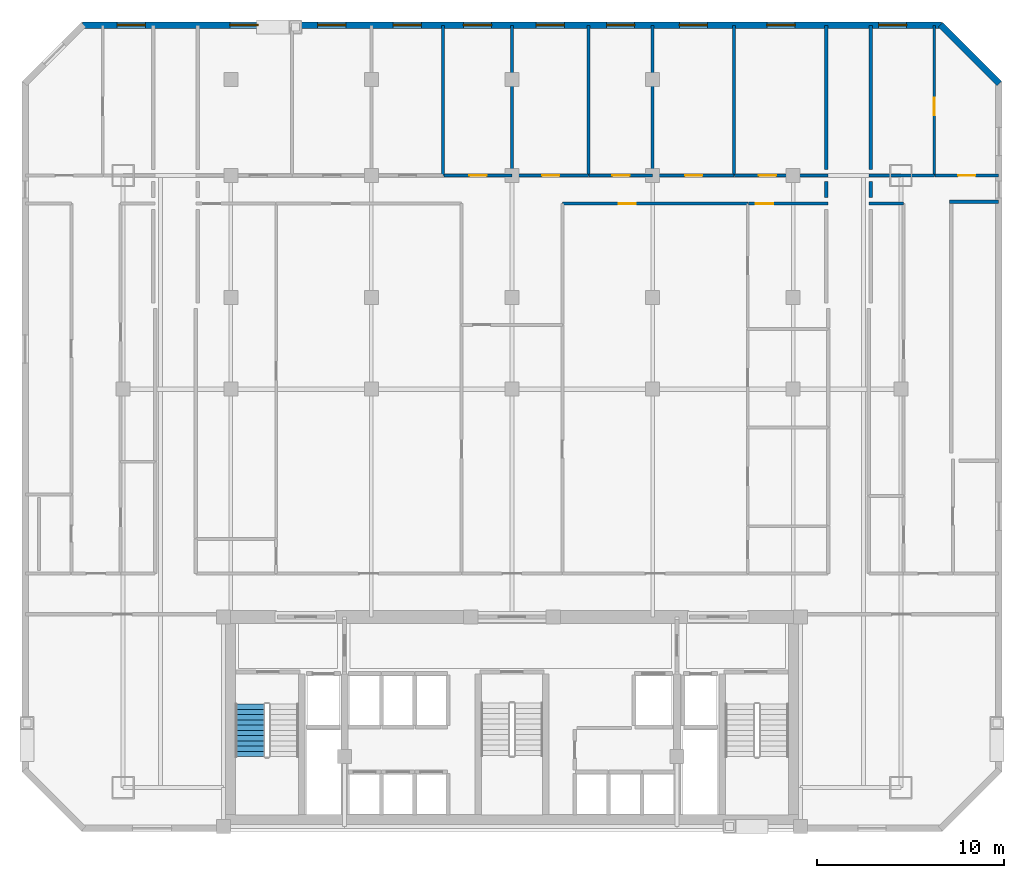
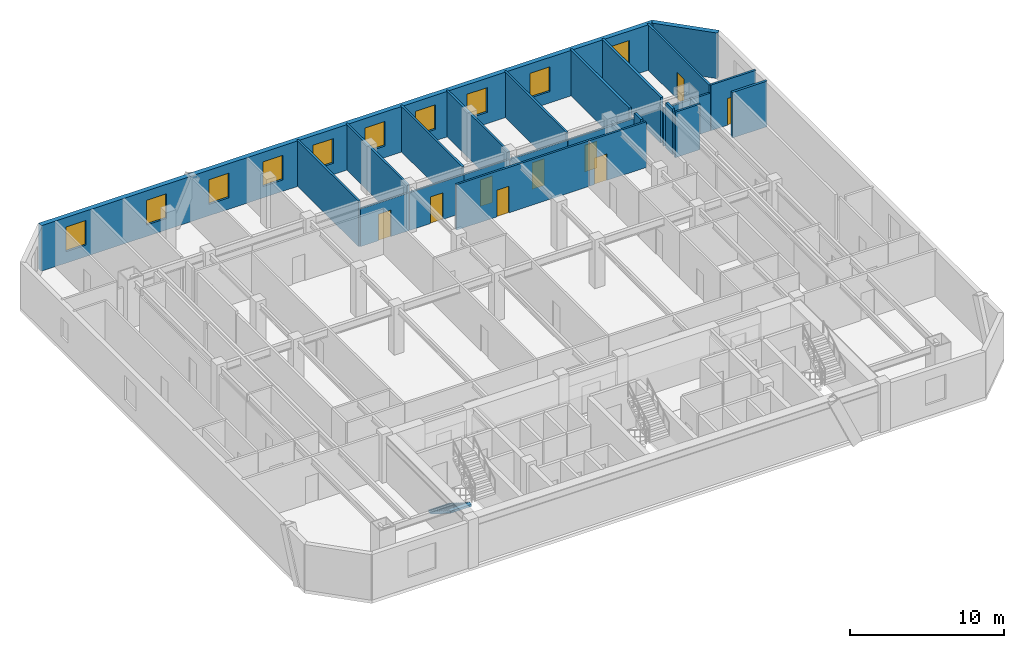
# One storey, part 6 of 8: 23 walls, 10 windows, 9 doors, 1 stair flight, 19 openings, 1 element without a shape of its own.
"""IFC4 building model written with IfcOpenShell, lengths in metres."""

from ifc_helpers import new_model, si_unit, direction, frame, frame_2d, origin, place, context, subcontext, project, spatial, polyline, rectangle, outline, extrude, material, layer, layer_set, type_object, element, fill, aggregate, save


model = new_model("IFC4")

# Units and contexts
model_context = context("Model", 3, precision=1e-05, world=origin(), true_north=direction((0.0, 1.0)))
body_context = subcontext(model_context, "Body", "Model", "MODEL_VIEW")
ifc_project = project(units=[si_unit("LENGTHUNIT", "METRE"), si_unit("AREAUNIT", "SQUARE_METRE"), si_unit("VOLUMEUNIT", "CUBIC_METRE"), si_unit("PLANEANGLEUNIT", "RADIAN"), si_unit("MASSUNIT", "GRAM", prefix="KILO")], contexts=[model_context])

# Site, building, storey
site_placement = place(None, origin())
site = spatial("IfcSite", under=ifc_project, at=site_placement, CompositionType="ELEMENT")
building_placement = place(site_placement, origin())
building = spatial("IfcBuilding", under=site, at=building_placement, Name="Ventersveld Concourse Tower", CompositionType="ELEMENT")
storey_placement = place(building_placement, frame((0.0, 0.0, 127.25)))
storey = spatial("IfcBuildingStorey", under=building, at=storey_placement, Name="L31", CompositionType="ELEMENT", Elevation=127.25)

# Walls
ifc_material_1 = material(Name="Fire-rated autoclaved aerated masonry blockwork", Category="masonry")
ifc_layer_1 = layer(ifc_material_1, 0.179931640625)
ifc_layer_set_1 = layer_set([ifc_layer_1], Name="Fire-rated autoclaved aerated masonry blockwork")
wall_type_1 = type_object("IfcWallType", Name="WL-CORR-180", PredefinedType="PARTITIONING", material=ifc_layer_set_1)
wall_1_placement = place(storey_placement, frame((47.8798828125, 33.824951171875, 0.0), z_axis=(0.0, 0.0, 1.0), x_axis=(0.0, 1.0, 0.0)))
element("IfcWall", 1, at=wall_1_placement, inside=storey, type_object=wall_type_1, Name="L31 Room Enclosure Wall SP-L31-31NE-LIV", PredefinedType="PARTITIONING", context=body_context, shape_type="SweptSolid", body=[
    extrude(rectangle(XDim=0.85009765625, YDim=0.179931640625, at=frame_2d((0.425048828125, 0.0))), origin(), (0.0, 0.0, 1.0), 3.60009765625),
])
wall_2_placement = place(storey_placement, frame((54.68994140625, 33.590087890625, 0.0), z_axis=(0.0, 0.0, 1.0), x_axis=(-1.0, 0.0, 0.0)))
element("IfcWall", 2, at=wall_2_placement, inside=storey, type_object=wall_type_1, Name="L31 Room Enclosure Wall SP-L31-31NE-LIV", PredefinedType="PARTITIONING", context=body_context, shape_type="SweptSolid", body=[
    extrude(rectangle(XDim=2.6064453125, YDim=0.179931640625, at=frame_2d((1.30322265625, 0.0))), origin(), (0.0, 0.0, 1.0), 3.60009765625),
])
wall_3_placement = place(storey_placement, frame((47.8798828125, 35.324951171875, 0.0), z_axis=(0.0, 0.0, 1.0), x_axis=(0.0, 1.0, 0.0)))
element("IfcWall", 3, at=wall_3_placement, inside=storey, type_object=wall_type_1, Name="L31 Room Enclosure Wall SP-L31-31NE-BR1", PredefinedType="PARTITIONING", context=body_context, shape_type="SweptSolid", body=[
    extrude(rectangle(XDim=7.6650390625, YDim=0.179931640625, at=frame_2d((3.83251953125, 0.0))), origin(), (0.0, 0.0, 1.0), 3.60009765625),
])
wall_4_placement = place(storey_placement, frame((45.52001953125, 34.675048828125, 0.0), z_axis=(0.0, 0.0, 1.0), x_axis=(0.0, -1.0, 0.0)))
element("IfcWall", 4, at=wall_4_placement, inside=storey, type_object=wall_type_1, Name="L31 Room Enclosure Wall SP-L31-31N1-LIV", PredefinedType="PARTITIONING", context=body_context, shape_type="SweptSolid", body=[
    extrude(rectangle(XDim=0.85009765625, YDim=0.179931640625, at=frame_2d((0.425048828125, 0.0))), origin(), (0.0, 0.0, 1.0), 3.60009765625),
])
wall_5_placement = place(storey_placement, frame((45.52001953125, 42.989990234375, 0.0), z_axis=(0.0, 0.0, 1.0), x_axis=(0.0, -1.0, 0.0)))
element("IfcWall", 5, at=wall_5_placement, inside=storey, type_object=wall_type_1, Name="L31 Room Enclosure Wall SP-L31-31N1-BR8", PredefinedType="PARTITIONING", context=body_context, shape_type="SweptSolid", body=[
    extrude(rectangle(XDim=7.6650390625, YDim=0.179931640625, at=frame_2d((3.83251953125, 0.0))), origin(), (0.0, 0.0, 1.0), 3.60009765625),
])
ifc_material_2 = material(Name="Autoclaved aerated masonry blockwork", Category="masonry")
ifc_layer_2 = layer(ifc_material_2, 0.14990234375)
ifc_layer_set_2 = layer_set([ifc_layer_2], Name="Autoclaved aerated masonry blockwork")
wall_type_2 = type_object("IfcWallType", Name="WL-INT-150", PredefinedType="PARTITIONING", material=ifc_layer_set_2)
wall_6_placement = place(storey_placement, frame((47.784912109375, 33.5, 0.0), z_axis=(0.0, 0.0, 1.0), x_axis=(1.0, 0.0, 0.0)))
element("IfcWall", 6, at=wall_6_placement, inside=storey, type_object=wall_type_2, Name="L31 Interior Partition SP-L31-31NE-LIV-SP-L31-31NE-OFFL0", PredefinedType="PARTITIONING", context=body_context, shape_type="SweptSolid", body=[
    extrude(rectangle(XDim=1.862548828125, YDim=0.14990234375, at=frame_2d((0.93115234375, 0.0))), origin(), (0.0, 0.0, 1.0), 3.60009765625),
])
wall_7_placement = place(storey_placement, frame((47.784912109375, 35.0, 0.0), z_axis=(0.0, 0.0, 1.0), x_axis=(1.0, 0.0, 0.0)))
element("IfcWall", 7, at=wall_7_placement, inside=storey, type_object=wall_type_2, Name="L31 Interior Partition SP-L31-31NE-LIV-SP-L31-31NE-BR1", PredefinedType="PARTITIONING", context=body_context, shape_type="SweptSolid", body=[
    extrude(rectangle(XDim=3.498291015625, YDim=0.14990234375, at=frame_2d((1.7490234375, 0.0))), origin(), (0.0, 0.0, 1.0), 2.98291015625),
])

# Wall, opening, door
wall_8_placement = place(storey_placement, frame((51.313232421875, 35.0, 0.0), z_axis=(0.0, 0.0, 1.0), x_axis=(1.0, 0.0, 0.0)))
wall_8 = element("IfcWall", 8, at=wall_8_placement, inside=storey, type_object=wall_type_2, Name="L31 Interior Partition SP-L31-31NE-LIV-SP-L31-31NE-BR2", PredefinedType="PARTITIONING", context=body_context, shape_type="SweptSolid", body=[
    extrude(rectangle(XDim=3.376708984375, YDim=0.14990234375, at=frame_2d((1.6884765625, 0.0))), origin(), (0.0, 0.0, 1.0), 3.60009765625),
])
opening_1_placement = place(wall_8_placement, frame((1.228515625, 0.0, 0.0)))
opening_1 = element("IfcOpeningElement", 9, at=opening_1_placement, cuts=wall_8, Name="Opening ID1", PredefinedType="OPENING", context=body_context, shape_type="SweptSolid", body=[
    extrude(rectangle(XDim=0.919921875, YDim=2.10009765625, at=frame_2d((0.4599609375, 1.050048828125))), frame((0.0, 0.0849609375, 0.0), z_axis=(0.0, -1.0, 0.0), x_axis=(1.0, 0.0, 0.0)), (0.0, 0.0, 1.0), 0.169921875),
])
ifc_material_3 = material(Name="Solid-core hardwood veneer timber", Category="wood")
door_type = type_object("IfcDoorType", Name="DR-ROOM-092", OperationType="NOTDEFINED", PredefinedType="DOOR", material=ifc_material_3)
door_1_placement = place(opening_1_placement, origin())
door_1 = element("IfcDoor", 10, at=door_1_placement, inside=storey, type_object=door_type, Name="L31 Interior Door SP-L31-31NE-LIV to SP-L31-31NE-BR2 (D-L31-1560)", OperationType="SINGLE_SWING_RIGHT", OverallHeight=2.10009765625, OverallWidth=0.919921875, PredefinedType="DOOR", context=body_context, shape_type="SweptSolid", body=[
    extrude(rectangle(XDim=0.919921875, YDim=2.10009765625, at=frame_2d((0.4599609375, 1.050048828125))), frame((0.0, 0.02490234375, 0.0), z_axis=(0.0, -1.0, 0.0), x_axis=(1.0, 0.0, 0.0)), (0.0, 0.0, 1.0), 0.050048828125),
])
fill(opening_1, door_1)

wall_9_placement = place(storey_placement, frame((51.2783203125, 34.9951171875, 0.0), z_axis=(0.0, 0.0, 1.0), x_axis=(0.0, 1.0, 0.0)))
wall_9 = element("IfcWall", 11, at=wall_9_placement, inside=storey, type_object=wall_type_2, Name="L31 Interior Partition SP-L31-31NE-BR1-SP-L31-31NE-BR2", PredefinedType="PARTITIONING", context=body_context, shape_type="SweptSolid", body=[
    extrude(rectangle(XDim=7.994873046875, YDim=0.14990234375, at=frame_2d((3.99755859375, 0.0))), origin(), (0.0, 0.0, 1.0), 3.60009765625),
])
opening_2_placement = place(wall_9_placement, frame((3.22998046875, 0.0, 0.0)))
opening_2 = element("IfcOpeningElement", 12, at=opening_2_placement, cuts=wall_9, Name="Opening ID1", PredefinedType="OPENING", context=body_context, shape_type="SweptSolid", body=[
    extrude(rectangle(XDim=0.919921875, YDim=2.10009765625, at=frame_2d((0.4599609375, 1.050048828125))), frame((0.0, 0.0849609375, 0.0), z_axis=(0.0, -1.0, 0.0), x_axis=(1.0, 0.0, 0.0)), (0.0, 0.0, 1.0), 0.169921875),
])
door_2_placement = place(opening_2_placement, origin())
door_2 = element("IfcDoor", 13, at=door_2_placement, inside=storey, type_object=door_type, Name="L31 Interior Door Flat 31NE Master Bedroom (D-L31-1583)", OperationType="SINGLE_SWING_RIGHT", OverallHeight=2.10009765625, OverallWidth=0.919921875, PredefinedType="DOOR", context=body_context, shape_type="SweptSolid", body=[
    extrude(rectangle(XDim=0.919921875, YDim=2.10009765625, at=frame_2d((0.4599609375, 1.050048828125))), frame((0.0, 0.02490234375, 0.0), z_axis=(0.0, -1.0, 0.0), x_axis=(1.0, 0.0, 0.0)), (0.0, 0.0, 1.0), 0.050048828125),
])
fill(opening_2, door_2)

wall_10_placement = place(storey_placement, frame((31.43505859375, 33.5, 0.0), z_axis=(0.0, 0.0, 1.0), x_axis=(1.0, 0.0, 0.0)))
wall_10 = element("IfcWall", 14, at=wall_10_placement, inside=storey, type_object=wall_type_2, Name="L31 Interior Partition SP-L31-31N1-EGAL1-SP-L31-31N1-LIV", PredefinedType="PARTITIONING", context=body_context, shape_type="SweptSolid", body=[
    extrude(rectangle(XDim=9.89990234375, YDim=0.14990234375, at=frame_2d((4.949951171875, 0.0))), origin(), (0.0, 0.0, 1.0), 3.60009765625),
])
opening_3_placement = place(wall_10_placement, frame((3.0048828125, 0.0, 0.0)))
opening_3 = element("IfcOpeningElement", 15, at=opening_3_placement, cuts=wall_10, Name="Opening ID1", PredefinedType="OPENING", context=body_context, shape_type="SweptSolid", body=[
    extrude(rectangle(XDim=0.919921875, YDim=2.10009765625, at=frame_2d((0.4599609375, 1.050048828125))), frame((0.0, 0.0849609375, 0.0), z_axis=(0.0, -1.0, 0.0), x_axis=(1.0, 0.0, 0.0)), (0.0, 0.0, 1.0), 0.169921875),
])
door_3_placement = place(opening_3_placement, origin())
door_3 = element("IfcDoor", 16, at=door_3_placement, inside=storey, type_object=door_type, Name="L31 Interior Door SP-L31-31N1-EGAL1 to SP-L31-31N1-LIV (D-L31-1566)", OperationType="SINGLE_SWING_RIGHT", OverallHeight=2.10009765625, OverallWidth=0.919921875, PredefinedType="DOOR", context=body_context, shape_type="SweptSolid", body=[
    extrude(rectangle(XDim=0.919921875, YDim=2.10009765625, at=frame_2d((0.4599609375, 1.050048828125))), frame((0.0, 0.02490234375, 0.0), z_axis=(0.0, -1.0, 0.0), x_axis=(1.0, 0.0, 0.0)), (0.0, 0.0, 1.0), 0.050048828125),
])
fill(opening_3, door_3)

wall_11_placement = place(storey_placement, frame((41.364990234375, 33.5, 0.0), z_axis=(0.0, 0.0, 1.0), x_axis=(1.0, 0.0, 0.0)))
wall_11 = element("IfcWall", 17, at=wall_11_placement, inside=storey, type_object=wall_type_2, Name="L31 Interior Partition SP-L31-31N1-LIV-SP-L31-31N1-DENS2", PredefinedType="PARTITIONING", context=body_context, shape_type="SweptSolid", body=[
    extrude(rectangle(XDim=4.25, YDim=0.14990234375, at=frame_2d((2.125, 0.0))), origin(), (0.0, 0.0, 1.0), 3.60009765625),
])
opening_4_placement = place(wall_11_placement, frame((0.389892578125, 0.0, 0.0)))
opening_4 = element("IfcOpeningElement", 18, at=opening_4_placement, cuts=wall_11, Name="Opening ID1", PredefinedType="OPENING", context=body_context, shape_type="SweptSolid", body=[
    extrude(rectangle(XDim=0.919921875, YDim=2.10009765625, at=frame_2d((0.4599609375, 1.050048828125))), frame((0.0, 0.0849609375, 0.0), z_axis=(0.0, -1.0, 0.0), x_axis=(1.0, 0.0, 0.0)), (0.0, 0.0, 1.0), 0.169921875),
])
door_4_placement = place(opening_4_placement, origin())
door_4 = element("IfcDoor", 19, at=door_4_placement, inside=storey, type_object=door_type, Name="L31 Interior Door SP-L31-31N1-LIV to SP-L31-31N1-DENS2 (D-L31-1573)", OperationType="SINGLE_SWING_LEFT", OverallHeight=2.10009765625, OverallWidth=0.919921875, PredefinedType="DOOR", context=body_context, shape_type="SweptSolid", body=[
    extrude(rectangle(XDim=0.919921875, YDim=2.10009765625, at=frame_2d((0.4599609375, 1.050048828125))), frame((0.0, 0.02490234375, 0.0), z_axis=(0.0, -1.0, 0.0), x_axis=(1.0, 0.0, 0.0)), (0.0, 0.0, 1.0), 0.050048828125),
])
fill(opening_4, door_4)

wall_12_placement = place(storey_placement, frame((25.109619140625, 35.0, 0.0), z_axis=(0.0, 0.0, 1.0), x_axis=(1.0, 0.0, 0.0)))
wall_12 = element("IfcWall", 20, at=wall_12_placement, inside=storey, type_object=wall_type_2, Name="L31 Interior Partition SP-L31-31N1-LIV-SP-L31-31N1-BR4", PredefinedType="PARTITIONING", context=body_context, shape_type="SweptSolid", body=[
    extrude(rectangle(XDim=3.645263671875, YDim=0.14990234375, at=frame_2d((1.82275390625, 0.0))), origin(), (0.0, 0.0, 1.0), 2.98291015625),
])
opening_5_placement = place(wall_12_placement, frame((1.36279296875, 0.0, 0.0)))
opening_5 = element("IfcOpeningElement", 21, at=opening_5_placement, cuts=wall_12, Name="Opening ID1", PredefinedType="OPENING", context=body_context, shape_type="SweptSolid", body=[
    extrude(rectangle(XDim=0.919921875, YDim=2.10009765625, at=frame_2d((0.4599609375, 1.050048828125))), frame((0.0, 0.0849609375, 0.0), z_axis=(0.0, -1.0, 0.0), x_axis=(1.0, 0.0, 0.0)), (0.0, 0.0, 1.0), 0.169921875),
])
door_5_placement = place(opening_5_placement, origin())
door_5 = element("IfcDoor", 22, at=door_5_placement, inside=storey, type_object=door_type, Name="L31 Interior Door SP-L31-31N1-LIV to SP-L31-31N1-BR4 (D-L31-1577)", OperationType="SINGLE_SWING_LEFT", OverallHeight=2.10009765625, OverallWidth=0.919921875, PredefinedType="DOOR", context=body_context, shape_type="SweptSolid", body=[
    extrude(rectangle(XDim=0.919921875, YDim=2.10009765625, at=frame_2d((0.4599609375, 1.050048828125))), frame((0.0, 0.02490234375, 0.0), z_axis=(0.0, -1.0, 0.0), x_axis=(1.0, 0.0, 0.0)), (0.0, 0.0, 1.0), 0.050048828125),
])
fill(opening_5, door_5)

wall_13_placement = place(storey_placement, frame((28.784912109375, 35.0, 0.0), z_axis=(0.0, 0.0, 1.0), x_axis=(1.0, 0.0, 0.0)))
wall_13 = element("IfcWall", 23, at=wall_13_placement, inside=storey, type_object=wall_type_2, Name="L31 Interior Partition SP-L31-31N1-LIV-SP-L31-31N1-BR5", PredefinedType="PARTITIONING", context=body_context, shape_type="SweptSolid", body=[
    extrude(rectangle(XDim=4.054931640625, YDim=0.14990234375, at=frame_2d((2.02734375, 0.0))), origin(), (0.0, 0.0, 1.0), 2.98291015625),
])
opening_6_placement = place(wall_13_placement, frame((1.5673828125, 0.0, 0.0)))
opening_6 = element("IfcOpeningElement", 24, at=opening_6_placement, cuts=wall_13, Name="Opening ID1", PredefinedType="OPENING", context=body_context, shape_type="SweptSolid", body=[
    extrude(rectangle(XDim=0.919921875, YDim=2.10009765625, at=frame_2d((0.4599609375, 1.050048828125))), frame((0.0, 0.0849609375, 0.0), z_axis=(0.0, -1.0, 0.0), x_axis=(1.0, 0.0, 0.0)), (0.0, 0.0, 1.0), 0.169921875),
])
door_6_placement = place(opening_6_placement, origin())
door_6 = element("IfcDoor", 25, at=door_6_placement, inside=storey, type_object=door_type, Name="L31 Interior Door SP-L31-31N1-LIV to SP-L31-31N1-BR5 (D-L31-1578)", OperationType="SINGLE_SWING_RIGHT", OverallHeight=2.10009765625, OverallWidth=0.919921875, PredefinedType="DOOR", context=body_context, shape_type="SweptSolid", body=[
    extrude(rectangle(XDim=0.919921875, YDim=2.10009765625, at=frame_2d((0.4599609375, 1.050048828125))), frame((0.0, 0.02490234375, 0.0), z_axis=(0.0, -1.0, 0.0), x_axis=(1.0, 0.0, 0.0)), (0.0, 0.0, 1.0), 0.050048828125),
])
fill(opening_6, door_6)

wall_14_placement = place(storey_placement, frame((32.869873046875, 35.0, 0.0), z_axis=(0.0, 0.0, 1.0), x_axis=(1.0, 0.0, 0.0)))
wall_14 = element("IfcWall", 26, at=wall_14_placement, inside=storey, type_object=wall_type_2, Name="L31 Interior Partition SP-L31-31N1-LIV-SP-L31-31N1-BR6", PredefinedType="PARTITIONING", context=body_context, shape_type="SweptSolid", body=[
    extrude(rectangle(XDim=3.385009765625, YDim=0.14990234375, at=frame_2d((1.6923828125, 0.0))), origin(), (0.0, 0.0, 1.0), 2.98291015625),
])
opening_7_placement = place(wall_14_placement, frame((1.232666015625, 0.0, 0.0)))
opening_7 = element("IfcOpeningElement", 27, at=opening_7_placement, cuts=wall_14, Name="Opening ID1", PredefinedType="OPENING", context=body_context, shape_type="SweptSolid", body=[
    extrude(rectangle(XDim=0.919921875, YDim=2.10009765625, at=frame_2d((0.4599609375, 1.050048828125))), frame((0.0, 0.0849609375, 0.0), z_axis=(0.0, -1.0, 0.0), x_axis=(1.0, 0.0, 0.0)), (0.0, 0.0, 1.0), 0.169921875),
])
door_7_placement = place(opening_7_placement, origin())
door_7 = element("IfcDoor", 28, at=door_7_placement, inside=storey, type_object=door_type, Name="L31 Interior Door SP-L31-31N1-LIV to SP-L31-31N1-BR6 (D-L31-1579)", OperationType="SINGLE_SWING_LEFT", OverallHeight=2.10009765625, OverallWidth=0.919921875, PredefinedType="DOOR", context=body_context, shape_type="SweptSolid", body=[
    extrude(rectangle(XDim=0.919921875, YDim=2.10009765625, at=frame_2d((0.4599609375, 1.050048828125))), frame((0.0, 0.02490234375, 0.0), z_axis=(0.0, -1.0, 0.0), x_axis=(1.0, 0.0, 0.0)), (0.0, 0.0, 1.0), 0.050048828125),
])
fill(opening_7, door_7)

wall_15_placement = place(storey_placement, frame((36.284912109375, 35.0, 0.0), z_axis=(0.0, 0.0, 1.0), x_axis=(1.0, 0.0, 0.0)))
wall_15 = element("IfcWall", 29, at=wall_15_placement, inside=storey, type_object=wall_type_2, Name="L31 Interior Partition SP-L31-31N1-LIV-SP-L31-31N1-BR7", PredefinedType="PARTITIONING", context=body_context, shape_type="SweptSolid", body=[
    extrude(rectangle(XDim=4.315185546875, YDim=0.14990234375, at=frame_2d((2.15771484375, 0.0))), origin(), (0.0, 0.0, 1.0), 2.98291015625),
])
opening_8_placement = place(wall_15_placement, frame((1.697509765625, 0.0, 0.0)))
opening_8 = element("IfcOpeningElement", 30, at=opening_8_placement, cuts=wall_15, Name="Opening ID1", PredefinedType="OPENING", context=body_context, shape_type="SweptSolid", body=[
    extrude(rectangle(XDim=0.919921875, YDim=2.10009765625, at=frame_2d((0.4599609375, 1.050048828125))), frame((0.0, 0.0849609375, 0.0), z_axis=(0.0, -1.0, 0.0), x_axis=(1.0, 0.0, 0.0)), (0.0, 0.0, 1.0), 0.169921875),
])
door_8_placement = place(opening_8_placement, origin())
door_8 = element("IfcDoor", 31, at=door_8_placement, inside=storey, type_object=door_type, Name="L31 Interior Door SP-L31-31N1-LIV to SP-L31-31N1-BR7 (D-L31-1580)", OperationType="SINGLE_SWING_RIGHT", OverallHeight=2.10009765625, OverallWidth=0.919921875, PredefinedType="DOOR", context=body_context, shape_type="SweptSolid", body=[
    extrude(rectangle(XDim=0.919921875, YDim=2.10009765625, at=frame_2d((0.4599609375, 1.050048828125))), frame((0.0, 0.02490234375, 0.0), z_axis=(0.0, -1.0, 0.0), x_axis=(1.0, 0.0, 0.0)), (0.0, 0.0, 1.0), 0.050048828125),
])
fill(opening_8, door_8)

wall_16_placement = place(storey_placement, frame((40.630126953125, 35.0, 0.0), z_axis=(0.0, 0.0, 1.0), x_axis=(1.0, 0.0, 0.0)))
wall_16 = element("IfcWall", 32, at=wall_16_placement, inside=storey, type_object=wall_type_2, Name="L31 Interior Partition SP-L31-31N1-LIV-SP-L31-31N1-BR8", PredefinedType="PARTITIONING", context=body_context, shape_type="SweptSolid", body=[
    extrude(rectangle(XDim=4.98486328125, YDim=0.14990234375, at=frame_2d((2.492431640625, 0.0))), origin(), (0.0, 0.0, 1.0), 2.98291015625),
])
opening_9_placement = place(wall_16_placement, frame((1.28466796875, 0.0, 0.0)))
opening_9 = element("IfcOpeningElement", 33, at=opening_9_placement, cuts=wall_16, Name="Opening ID1", PredefinedType="OPENING", context=body_context, shape_type="SweptSolid", body=[
    extrude(rectangle(XDim=0.919921875, YDim=2.10009765625, at=frame_2d((0.4599609375, 1.050048828125))), frame((0.0, 0.0849609375, 0.0), z_axis=(0.0, -1.0, 0.0), x_axis=(1.0, 0.0, 0.0)), (0.0, 0.0, 1.0), 0.169921875),
])
door_9_placement = place(opening_9_placement, origin())
door_9 = element("IfcDoor", 34, at=door_9_placement, inside=storey, type_object=door_type, Name="L31 Interior Door SP-L31-31N1-LIV to SP-L31-31N1-BR8 (D-L31-1581)", OperationType="SINGLE_SWING_LEFT", OverallHeight=2.10009765625, OverallWidth=0.919921875, PredefinedType="DOOR", context=body_context, shape_type="SweptSolid", body=[
    extrude(rectangle(XDim=0.919921875, YDim=2.10009765625, at=frame_2d((0.4599609375, 1.050048828125))), frame((0.0, 0.02490234375, 0.0), z_axis=(0.0, -1.0, 0.0), x_axis=(1.0, 0.0, 0.0)), (0.0, 0.0, 1.0), 0.050048828125),
])
fill(opening_9, door_9)

# Walls
for number, where, z_axis, x_axis, name in (
    (35, (25.074462890625, 34.9951171875, 0.0), (0.0, 0.0, 1.0), (0.0, 1.0, 0.0), "L31 Interior Partition SP-L31-31N1-BR3-SP-L31-31N1-BR4"),
    (36, (28.75, 34.9951171875, 0.0), (0.0, 0.0, 1.0), (0.0, 1.0, 0.0), "L31 Interior Partition SP-L31-31N1-BR4-SP-L31-31N1-BR5"),
    (37, (32.834716796875, 34.9951171875, 0.0), (0.0, 0.0, 1.0), (0.0, 1.0, 0.0), "L31 Interior Partition SP-L31-31N1-BR5-SP-L31-31N1-BR6"),
    (38, (36.25, 34.9951171875, 0.0), (0.0, 0.0, 1.0), (0.0, 1.0, 0.0), "L31 Interior Partition SP-L31-31N1-BR6-SP-L31-31N1-BR7"),
    (39, (40.59521484375, 34.9951171875, 0.0), (0.0, 0.0, 1.0), (0.0, 1.0, 0.0), "L31 Interior Partition SP-L31-31N1-BR7-SP-L31-31N1-BR8"),
):
    element("IfcWall", number, at=place(storey_placement, frame(where, z_axis=z_axis, x_axis=x_axis)), inside=storey, type_object=wall_type_2, Name=name, PredefinedType="PARTITIONING", context=body_context, shape_type="SweptSolid", body=[
        extrude(rectangle(XDim=7.994873046875, YDim=0.14990234375, at=frame_2d((3.99755859375, 0.0))), origin(), (0.0, 0.0, 1.0), 3.60009765625),
    ])
ifc_material_4 = material(Name="Precast concrete C45/55", Category="concrete")
ifc_layer_3 = layer(ifc_material_4, 0.35009765625)
ifc_layer_set_3 = layer_set([ifc_layer_3], Name="Precast concrete C45/55")
wall_type_3 = type_object("IfcWallType", Name="WL-PREC-350", PredefinedType="SOLIDWALL", material=ifc_layer_set_3)
wall_17_placement = place(storey_placement, frame((54.748046875, 39.904541015625, 0.0), z_axis=(0.0, 0.0, 1.0), x_axis=(-0.707106781187, 0.707106781187, 0.0)))
element("IfcWall", 40, at=wall_17_placement, inside=storey, type_object=wall_type_3, Name="L31 Highveld Precast Facade Wall E04", PredefinedType="SOLIDWALL", context=body_context, shape_type="SweptSolid", body=[
    extrude(rectangle(XDim=4.445556640625, YDim=0.35009765625, at=frame_2d((2.22265625, 0.0))), origin(), (0.0, 0.0, 1.0), 3.60009765625),
])

# Wall, openings, windows
wall_18_placement = place(storey_placement, frame((51.659912109375, 43.02490234375, 0.0), z_axis=(0.0, 0.0, 1.0), x_axis=(-1.0, 0.0, 0.0)))
wall_18 = element("IfcWall", 41, at=wall_18_placement, inside=storey, type_object=wall_type_3, Name="L31 Highveld Precast Facade Wall E05", PredefinedType="SOLIDWALL", context=body_context, shape_type="SweptSolid", body=[
    extrude(rectangle(XDim=45.81982421875, YDim=0.35009765625, at=frame_2d((22.909912109375, 0.0))), origin(), (0.0, 0.0, 1.0), 3.60009765625),
])
opening_10_placement = place(wall_18_placement, frame((42.467529296875, 0.0, 0.89990234375)))
opening_10 = element("IfcOpeningElement", 42, at=opening_10_placement, cuts=wall_18, Name="Opening W1", PredefinedType="OPENING", context=body_context, shape_type="SweptSolid", body=[
    extrude(rectangle(XDim=1.5, YDim=1.949951171875, at=frame_2d((0.75, 0.97509765625))), frame((0.0, 0.18505859375, 0.0), z_axis=(0.0, -1.0, 0.0), x_axis=(1.0, 0.0, 0.0)), (0.0, 0.0, 1.0), 0.3701171875),
])
opening_11_placement = place(wall_18_placement, frame((1.8525390625, 0.0, 0.89990234375)))
opening_11 = element("IfcOpeningElement", 43, at=opening_11_placement, cuts=wall_18, Name="Opening W1", PredefinedType="OPENING", context=body_context, shape_type="SweptSolid", body=[
    extrude(rectangle(XDim=1.5, YDim=1.949951171875, at=frame_2d((0.75, 0.97509765625))), frame((0.0, 0.18505859375, 0.0), z_axis=(0.0, -1.0, 0.0), x_axis=(1.0, 0.0, 0.0)), (0.0, 0.0, 1.0), 0.3701171875),
])
opening_12_placement = place(wall_18_placement, frame((36.456787109375, 0.0, 0.89990234375)))
opening_12 = element("IfcOpeningElement", 44, at=opening_12_placement, cuts=wall_18, Name="Opening W1", PredefinedType="OPENING", context=body_context, shape_type="SweptSolid", body=[
    extrude(rectangle(XDim=1.5, YDim=1.949951171875, at=frame_2d((0.75, 0.97509765625))), frame((0.0, 0.18505859375, 0.0), z_axis=(0.0, -1.0, 0.0), x_axis=(1.0, 0.0, 0.0)), (0.0, 0.0, 1.0), 0.3701171875),
])
opening_13_placement = place(wall_18_placement, frame((31.77685546875, 0.0, 0.89990234375)))
opening_13 = element("IfcOpeningElement", 45, at=opening_13_placement, cuts=wall_18, Name="Opening W1", PredefinedType="OPENING", context=body_context, shape_type="SweptSolid", body=[
    extrude(rectangle(XDim=1.5, YDim=1.949951171875, at=frame_2d((0.75, 0.97509765625))), frame((0.0, 0.18505859375, 0.0), z_axis=(0.0, -1.0, 0.0), x_axis=(1.0, 0.0, 0.0)), (0.0, 0.0, 1.0), 0.3701171875),
])
opening_14_placement = place(wall_18_placement, frame((27.747802734375, 0.0, 0.89990234375)))
opening_14 = element("IfcOpeningElement", 46, at=opening_14_placement, cuts=wall_18, Name="Opening W1", PredefinedType="OPENING", context=body_context, shape_type="SweptSolid", body=[
    extrude(rectangle(XDim=1.5, YDim=1.949951171875, at=frame_2d((0.75, 0.97509765625))), frame((0.0, 0.18505859375, 0.0), z_axis=(0.0, -1.0, 0.0), x_axis=(1.0, 0.0, 0.0)), (0.0, 0.0, 1.0), 0.3701171875),
])
opening_15_placement = place(wall_18_placement, frame((23.997802734375, 0.0, 0.89990234375)))
opening_15 = element("IfcOpeningElement", 47, at=opening_15_placement, cuts=wall_18, Name="Opening W1", PredefinedType="OPENING", context=body_context, shape_type="SweptSolid", body=[
    extrude(rectangle(XDim=1.5, YDim=1.949951171875, at=frame_2d((0.75, 0.97509765625))), frame((0.0, 0.18505859375, 0.0), z_axis=(0.0, -1.0, 0.0), x_axis=(1.0, 0.0, 0.0)), (0.0, 0.0, 1.0), 0.3701171875),
])
opening_16_placement = place(wall_18_placement, frame((20.11767578125, 0.0, 0.89990234375)))
opening_16 = element("IfcOpeningElement", 48, at=opening_16_placement, cuts=wall_18, Name="Opening W1", PredefinedType="OPENING", context=body_context, shape_type="SweptSolid", body=[
    extrude(rectangle(XDim=1.5, YDim=1.949951171875, at=frame_2d((0.75, 0.97509765625))), frame((0.0, 0.18505859375, 0.0), z_axis=(0.0, -1.0, 0.0), x_axis=(1.0, 0.0, 0.0)), (0.0, 0.0, 1.0), 0.3701171875),
])
opening_17_placement = place(wall_18_placement, frame((16.36767578125, 0.0, 0.89990234375)))
opening_17 = element("IfcOpeningElement", 49, at=opening_17_placement, cuts=wall_18, Name="Opening W1", PredefinedType="OPENING", context=body_context, shape_type="SweptSolid", body=[
    extrude(rectangle(XDim=1.5, YDim=1.949951171875, at=frame_2d((0.75, 0.97509765625))), frame((0.0, 0.18505859375, 0.0), z_axis=(0.0, -1.0, 0.0), x_axis=(1.0, 0.0, 0.0)), (0.0, 0.0, 1.0), 0.3701171875),
])
opening_18_placement = place(wall_18_placement, frame((12.4873046875, 0.0, 0.89990234375)))
opening_18 = element("IfcOpeningElement", 50, at=opening_18_placement, cuts=wall_18, Name="Opening W1", PredefinedType="OPENING", context=body_context, shape_type="SweptSolid", body=[
    extrude(rectangle(XDim=1.5, YDim=1.949951171875, at=frame_2d((0.75, 0.97509765625))), frame((0.0, 0.18505859375, 0.0), z_axis=(0.0, -1.0, 0.0), x_axis=(1.0, 0.0, 0.0)), (0.0, 0.0, 1.0), 0.3701171875),
])
opening_19_placement = place(wall_18_placement, frame((7.807373046875, 0.0, 0.89990234375)))
opening_19 = element("IfcOpeningElement", 51, at=opening_19_placement, cuts=wall_18, Name="Opening W1", PredefinedType="OPENING", context=body_context, shape_type="SweptSolid", body=[
    extrude(rectangle(XDim=1.5, YDim=1.949951171875, at=frame_2d((0.75, 0.97509765625))), frame((0.0, 0.18505859375, 0.0), z_axis=(0.0, -1.0, 0.0), x_axis=(1.0, 0.0, 0.0)), (0.0, 0.0, 1.0), 0.3701171875),
])
ifc_material_5 = material(Name="Tempered acoustic Low-E IGU", Category="glass")
window_type = type_object("IfcWindowType", Name="WIN-150x210", PartitioningType="SINGLE_PANEL", PredefinedType="WINDOW", material=ifc_material_5)
window_1_placement = place(opening_10_placement, origin())
window_1 = element("IfcWindow", 52, at=window_1_placement, inside=storey, type_object=window_type, Name="L31 Punched Low-E Window W-0400", OverallHeight=1.949951171875, OverallWidth=1.5, PartitioningType="SINGLE_PANEL", PredefinedType="WINDOW", context=body_context, shape_type="SweptSolid", body=[
    extrude(rectangle(XDim=1.5, YDim=1.949951171875, at=frame_2d((0.75, 0.97509765625))), frame((0.0, 0.030029296875, 0.0), z_axis=(0.0, -1.0, 0.0), x_axis=(1.0, 0.0, 0.0)), (0.0, 0.0, 1.0), 0.06005859375),
])
fill(opening_10, window_1)
window_2_placement = place(opening_11_placement, origin())
window_2 = element("IfcWindow", 53, at=window_2_placement, inside=storey, type_object=window_type, Name="L31 Punched Low-E Window W-0403", OverallHeight=1.949951171875, OverallWidth=1.5, PartitioningType="SINGLE_PANEL", PredefinedType="WINDOW", context=body_context, shape_type="SweptSolid", body=[
    extrude(rectangle(XDim=1.5, YDim=1.949951171875, at=frame_2d((0.75, 0.97509765625))), frame((0.0, 0.030029296875, 0.0), z_axis=(0.0, -1.0, 0.0), x_axis=(1.0, 0.0, 0.0)), (0.0, 0.0, 1.0), 0.06005859375),
])
fill(opening_11, window_2)
window_3_placement = place(opening_12_placement, origin())
window_3 = element("IfcWindow", 54, at=window_3_placement, inside=storey, type_object=window_type, Name="L31 Punched Low-E Window W-0405", OverallHeight=1.949951171875, OverallWidth=1.5, PartitioningType="SINGLE_PANEL", PredefinedType="WINDOW", context=body_context, shape_type="SweptSolid", body=[
    extrude(rectangle(XDim=1.5, YDim=1.949951171875, at=frame_2d((0.75, 0.97509765625))), frame((0.0, 0.030029296875, 0.0), z_axis=(0.0, -1.0, 0.0), x_axis=(1.0, 0.0, 0.0)), (0.0, 0.0, 1.0), 0.06005859375),
])
fill(opening_12, window_3)
window_4_placement = place(opening_13_placement, origin())
window_4 = element("IfcWindow", 55, at=window_4_placement, inside=storey, type_object=window_type, Name="L31 Punched Low-E Window W-0406", OverallHeight=1.949951171875, OverallWidth=1.5, PartitioningType="SINGLE_PANEL", PredefinedType="WINDOW", context=body_context, shape_type="SweptSolid", body=[
    extrude(rectangle(XDim=1.5, YDim=1.949951171875, at=frame_2d((0.75, 0.97509765625))), frame((0.0, 0.030029296875, 0.0), z_axis=(0.0, -1.0, 0.0), x_axis=(1.0, 0.0, 0.0)), (0.0, 0.0, 1.0), 0.06005859375),
])
fill(opening_13, window_4)
window_5_placement = place(opening_14_placement, origin())
window_5 = element("IfcWindow", 56, at=window_5_placement, inside=storey, type_object=window_type, Name="L31 Punched Low-E Window W-0407", OverallHeight=1.949951171875, OverallWidth=1.5, PartitioningType="SINGLE_PANEL", PredefinedType="WINDOW", context=body_context, shape_type="SweptSolid", body=[
    extrude(rectangle(XDim=1.5, YDim=1.949951171875, at=frame_2d((0.75, 0.97509765625))), frame((0.0, 0.030029296875, 0.0), z_axis=(0.0, -1.0, 0.0), x_axis=(1.0, 0.0, 0.0)), (0.0, 0.0, 1.0), 0.06005859375),
])
fill(opening_14, window_5)
window_6_placement = place(opening_15_placement, origin())
window_6 = element("IfcWindow", 57, at=window_6_placement, inside=storey, type_object=window_type, Name="L31 Punched Low-E Window W-0408", OverallHeight=1.949951171875, OverallWidth=1.5, PartitioningType="SINGLE_PANEL", PredefinedType="WINDOW", context=body_context, shape_type="SweptSolid", body=[
    extrude(rectangle(XDim=1.5, YDim=1.949951171875, at=frame_2d((0.75, 0.97509765625))), frame((0.0, 0.030029296875, 0.0), z_axis=(0.0, -1.0, 0.0), x_axis=(1.0, 0.0, 0.0)), (0.0, 0.0, 1.0), 0.06005859375),
])
fill(opening_15, window_6)
window_7_placement = place(opening_16_placement, origin())
window_7 = element("IfcWindow", 58, at=window_7_placement, inside=storey, type_object=window_type, Name="L31 Punched Low-E Window W-0409", OverallHeight=1.949951171875, OverallWidth=1.5, PartitioningType="SINGLE_PANEL", PredefinedType="WINDOW", context=body_context, shape_type="SweptSolid", body=[
    extrude(rectangle(XDim=1.5, YDim=1.949951171875, at=frame_2d((0.75, 0.97509765625))), frame((0.0, 0.030029296875, 0.0), z_axis=(0.0, -1.0, 0.0), x_axis=(1.0, 0.0, 0.0)), (0.0, 0.0, 1.0), 0.06005859375),
])
fill(opening_16, window_7)
window_8_placement = place(opening_17_placement, origin())
window_8 = element("IfcWindow", 59, at=window_8_placement, inside=storey, type_object=window_type, Name="L31 Punched Low-E Window W-0410", OverallHeight=1.949951171875, OverallWidth=1.5, PartitioningType="SINGLE_PANEL", PredefinedType="WINDOW", context=body_context, shape_type="SweptSolid", body=[
    extrude(rectangle(XDim=1.5, YDim=1.949951171875, at=frame_2d((0.75, 0.97509765625))), frame((0.0, 0.030029296875, 0.0), z_axis=(0.0, -1.0, 0.0), x_axis=(1.0, 0.0, 0.0)), (0.0, 0.0, 1.0), 0.06005859375),
])
fill(opening_17, window_8)
window_9_placement = place(opening_18_placement, origin())
window_9 = element("IfcWindow", 60, at=window_9_placement, inside=storey, type_object=window_type, Name="L31 Punched Low-E Window W-0411", OverallHeight=1.949951171875, OverallWidth=1.5, PartitioningType="SINGLE_PANEL", PredefinedType="WINDOW", context=body_context, shape_type="SweptSolid", body=[
    extrude(rectangle(XDim=1.5, YDim=1.949951171875, at=frame_2d((0.75, 0.97509765625))), frame((0.0, 0.030029296875, 0.0), z_axis=(0.0, -1.0, 0.0), x_axis=(1.0, 0.0, 0.0)), (0.0, 0.0, 1.0), 0.06005859375),
])
fill(opening_18, window_9)
window_10_placement = place(opening_19_placement, origin())
window_10 = element("IfcWindow", 61, at=window_10_placement, inside=storey, type_object=window_type, Name="L31 Punched Low-E Window W-0412", OverallHeight=1.949951171875, OverallWidth=1.5, PartitioningType="SINGLE_PANEL", PredefinedType="WINDOW", context=body_context, shape_type="SweptSolid", body=[
    extrude(rectangle(XDim=1.5, YDim=1.949951171875, at=frame_2d((0.75, 0.97509765625))), frame((0.0, 0.030029296875, 0.0), z_axis=(0.0, -1.0, 0.0), x_axis=(1.0, 0.0, 0.0)), (0.0, 0.0, 1.0), 0.06005859375),
])
fill(opening_19, window_10)

# Stair, stair flight
ifc_material_6 = material(Name="Concrete C50/60", Category="concrete")
stair_type = type_object("IfcStairType", Name="ST-DOG-160", PredefinedType="HALF_TURN_STAIR", material=ifc_material_6)
stair_placement = place(storey_placement, origin())
stair = element("IfcStair", 62, at=stair_placement, inside=storey, type_object=stair_type, Name="L31 Protected Tower Escape Stair ST-01", PredefinedType="HALF_TURN_STAIR")
stair_flight_type = type_object("IfcStairFlightType", Name="STF-RC-160", PredefinedType="STRAIGHT", material=ifc_material_6)
stair_flight_placement = place(storey_placement, frame((14.780029296875, 6.800048828125, 0.0), z_axis=(0.0, 0.0, 1.0), x_axis=(0.0, -1.0, 0.0)))
stair_flight = element("IfcStairFlight", 63, at=stair_flight_placement, type_object=stair_flight_type, Name="ST-01 flight 1", NumberOfRisers=11, NumberOfTreads=10, PredefinedType="STRAIGHT", RiserHeight=0.175, TreadLength=0.28, context=body_context, shape_type="SweptSolid", body=[
    extrude(outline(polyline([(0.0, 0.0), (0.0, 0.175048828125), (0.280029296875, 0.175048828125), (0.280029296875, 0.35009765625), (0.56005859375, 0.35009765625), (0.56005859375, 0.52490234375), (0.840087890625, 0.52490234375), (0.840087890625, 0.699951171875), (1.1201171875, 0.699951171875), (1.1201171875, 0.875), (1.39990234375, 0.875), (1.39990234375, 1.050048828125), (1.679931640625, 1.050048828125), (1.679931640625, 1.22509765625), (1.9599609375, 1.22509765625), (1.9599609375, 1.39990234375), (2.239990234375, 1.39990234375), (2.239990234375, 1.574951171875), (2.52001953125, 1.574951171875), (2.52001953125, 1.75), (2.800048828125, 1.75), (2.800048828125, 1.925048828125), (2.800048828125, 1.5732421875), (0.28271484375, 0.0), (0.0, 0.0)])), frame((0.0, 0.800048828125, 0.0), z_axis=(0.0, -1.0, 0.0), x_axis=(1.0, 0.0, 0.0)), (0.0, 0.0, 1.0), 1.60009765625),
])
aggregate(stair, [stair_flight])

save(model, "model.ifc")
